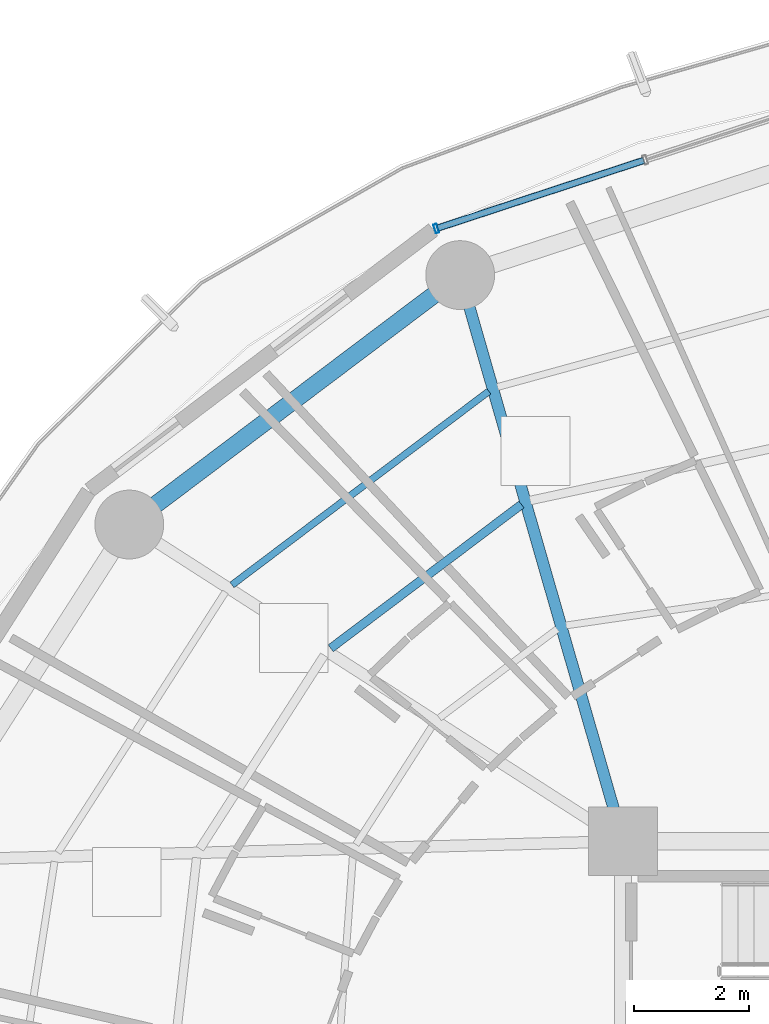
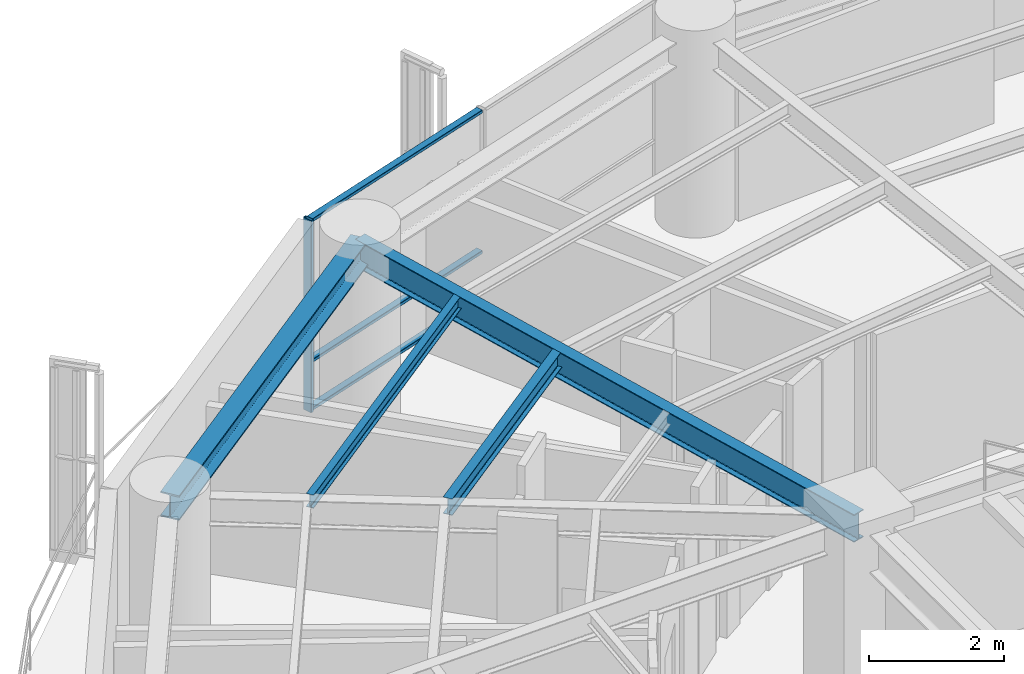
# One storey, part 16 of 27: 4 beams, 4 members, 1 element without a shape of its own.
"""IFC4 building model written with IfcOpenShell, lengths in metres."""

from ifc_helpers import new_model, si_unit, direction, frame, origin, origin_2d, place, context, subcontext, project, spatial, hollow_rectangle, i_section, extrude, material, layer, layer_set, material_profile, profile_set, type_object, element, aggregate, save


model = new_model("IFC4")

# Units and contexts
model_context = context("Model", 3, precision=1e-05, world=origin(), true_north=direction((0.0, 1.0)))
body_context = subcontext(model_context, "Body", "Model", "MODEL_VIEW")
ifc_project = project(units=[si_unit("LENGTHUNIT", "METRE"), si_unit("AREAUNIT", "SQUARE_METRE"), si_unit("VOLUMEUNIT", "CUBIC_METRE"), si_unit("PLANEANGLEUNIT", "RADIAN"), si_unit("MASSUNIT", "GRAM", prefix="KILO")], contexts=[model_context])

# Site, building, storey
site_placement = place(None, origin())
site = spatial("IfcSite", under=ifc_project, at=site_placement, CompositionType="ELEMENT")
building_placement = place(site_placement, origin())
building = spatial("IfcBuilding", under=site, at=building_placement, Name="Kelanora Arch Commons", CompositionType="ELEMENT")
storey_placement = place(building_placement, frame((0.0, 0.0, 143.10009765625)))
storey = spatial("IfcBuildingStorey", under=building, at=storey_placement, Name="L36", CompositionType="ELEMENT", Elevation=143.10009765625)

# Beams
ifc_material_1 = material(Name="Steel S355", Category="steel")
ifc_material_profile_1 = material_profile(ifc_material_1, i_section(OverallWidth=0.14990234375, OverallDepth=0.300048828125, WebThickness=0.007080078125, FlangeThickness=0.0107421875, FilletRadius=0.014892578125, at=origin_2d()), Name="IPE300")
ifc_profile_set_1 = profile_set([ifc_material_profile_1], Name="Steel S355")
beam_type_1 = type_object("IfcBeamType", Name="BM-JST-01", PredefinedType="JOIST", material=ifc_profile_set_1)
beam_1_placement = place(storey_placement, frame((64.22802734375, 70.870849609375, 3.33984375), z_axis=(-0.798463547891, -0.602043156833, 0.0), x_axis=(0.602043156833, -0.798463547891, 0.0)))
element("IfcBeam", 1, at=beam_1_placement, inside=storey, type_object=beam_type_1, Name="Secondary Chord Joist BJB-12 L36", PredefinedType="JOIST", context=body_context, shape_type="SweptSolid", body=[
    extrude(i_section(OverallWidth=0.14990234375, OverallDepth=0.300048828125, WebThickness=0.007080078125, FlangeThickness=0.0107421875, FilletRadius=0.014892578125, at=origin_2d()), origin(), (0.0, 0.0, 1.0), 4.163818359375),
])
ifc_material_profile_2 = material_profile(ifc_material_1, i_section(OverallWidth=0.1201171875, OverallDepth=0.239990234375, WebThickness=0.006103515625, FlangeThickness=0.009765625, FilletRadius=0.014892578125, at=origin_2d()), Name="IPE240")
ifc_profile_set_2 = profile_set([ifc_material_profile_2], Name="Steel S355")
beam_type_2 = type_object("IfcBeamType", Name="BM-JST-02", PredefinedType="JOIST", material=ifc_profile_set_2)
beam_2_placement = place(storey_placement, frame((63.66015625, 72.844970703125, 3.369873046875), z_axis=(-0.798493128577, -0.602003923256, 0.0), x_axis=(0.602003923256, -0.798493128577, 0.0)))
element("IfcBeam", 2, at=beam_2_placement, inside=storey, type_object=beam_type_2, Name="Secondary Chord Joist BJC-12 L36", PredefinedType="JOIST", context=body_context, shape_type="SweptSolid", body=[
    extrude(i_section(OverallWidth=0.1201171875, OverallDepth=0.239990234375, WebThickness=0.006103515625, FlangeThickness=0.009765625, FilletRadius=0.014892578125, at=origin_2d()), origin(), (0.0, 0.0, 1.0), 5.608642578125),
])
ifc_material_profile_3 = material_profile(ifc_material_1, i_section(OverallWidth=0.199951171875, OverallDepth=0.5, WebThickness=0.01025390625, FlangeThickness=0.01611328125, FilletRadius=0.02099609375, at=origin_2d()), Name="IPE500")
ifc_profile_set_3 = profile_set([ifc_material_profile_3], Name="Steel S355")
beam_type_3 = type_object("IfcBeamType", Name="BM-RAD-Z3", PredefinedType="BEAM", material=ifc_profile_set_3)
beam_3_placement = place(storey_placement, frame((66.0, 65.0, 3.239990234375), z_axis=(-0.276525880065, 0.961006471182, 0.0), x_axis=(-0.961006471182, -0.276525880065, 0.0)))
element("IfcBeam", 3, at=beam_3_placement, inside=storey, type_object=beam_type_3, Name="Radial Floor Girder BR-12 L36", PredefinedType="BEAM", context=body_context, shape_type="SweptSolid", body=[
    extrude(i_section(OverallWidth=0.199951171875, OverallDepth=0.5, WebThickness=0.01025390625, FlangeThickness=0.01611328125, FilletRadius=0.02099609375, at=origin_2d()), origin(), (0.0, 0.0, 1.0), 10.2705078125),
])
ifc_material_profile_4 = material_profile(ifc_material_1, i_section(OverallWidth=0.300048828125, OverallDepth=0.449951171875, WebThickness=0.013916015625, FlangeThickness=0.02587890625, FilletRadius=0.027099609375, at=origin_2d()), Name="HEB450")
ifc_profile_set_4 = profile_set([ifc_material_profile_4], Name="Steel S355")
beam_type_4 = type_object("IfcBeamType", Name="BM-SPN-Z3", PredefinedType="SPANDREL", material=ifc_profile_set_4)
beam_4_placement = place(storey_placement, frame((63.159912109375, 74.8701171875, 3.264892578125), z_axis=(-0.798484645564, -0.60201517489, 0.0), x_axis=(0.60201517489, -0.798484645564, 0.0)))
element("IfcBeam", 4, at=beam_4_placement, inside=storey, type_object=beam_type_4, Name="Perimeter Spandrel Beam BS-12 L36", PredefinedType="SPANDREL", context=body_context, shape_type="SweptSolid", body=[
    extrude(i_section(OverallWidth=0.300048828125, OverallDepth=0.449951171875, WebThickness=0.013916015625, FlangeThickness=0.02587890625, FilletRadius=0.027099609375, at=origin_2d()), origin(), (0.0, 0.0, 1.0), 7.223388671875),
])

# Curtain wall, members
ifc_material_2 = material(Name="Terracotta ceramic-fritted low-E glass and aluminium", Category="masonry")
ifc_layer = layer(ifc_material_2, 0.175048828125)
ifc_layer_set = layer_set([ifc_layer], Name="Terracotta ceramic-fritted low-E glass and aluminium")
curtain_wall_type = type_object("IfcCurtainWallType", Name="CW-SYS-02", PredefinedType="NOTDEFINED", material=ifc_layer_set)
curtain_wall_placement = place(storey_placement, origin())
curtain_wall = element("IfcCurtainWall", 5, at=curtain_wall_placement, inside=storey, type_object=curtain_wall_type, Name="Unitised Curtain Wall L36-B05", PredefinedType="NOTDEFINED")
ifc_material_3 = material(Name="Powder-coated aluminium terracotta", Category="masonry")
ifc_material_profile_5 = material_profile(ifc_material_3, hollow_rectangle(XDim=0.159912109375, YDim=0.06005859375, WallThickness=0.0048828125, InnerFilletRadius=0.0048828125, OuterFilletRadius=0.010009765625, at=origin_2d()), Name="CWM160x60")
ifc_profile_set_5 = profile_set([ifc_material_profile_5], Name="Powder-coated aluminium terracotta")
member_type_1 = type_object("IfcMemberType", Name="CWM-STD", PredefinedType="MULLION", material=ifc_profile_set_5)
member_1_placement = place(storey_placement, frame((62.742919921875, 75.680908203125, 0.0), z_axis=(0.0, 0.0, 1.0), x_axis=(0.312128279571, -0.95003996605, 0.0)))
member_1 = element("IfcMember", 6, at=member_1_placement, type_object=member_type_1, Name="CW-02 mullion 3", PredefinedType="MULLION", context=body_context, shape_type="SweptSolid", body=[
    extrude(hollow_rectangle(XDim=0.159912109375, YDim=0.06005859375, WallThickness=0.0048828125, InnerFilletRadius=0.0048828125, OuterFilletRadius=0.010009765625, at=origin_2d()), origin(), (0.0, 0.0, 1.0), 3.474853515625),
])
ifc_material_profile_6 = material_profile(ifc_material_3, hollow_rectangle(XDim=0.1201171875, YDim=0.06005859375, WallThickness=0.0048828125, InnerFilletRadius=0.0048828125, OuterFilletRadius=0.010009765625, at=origin_2d()), Name="CWT120x60")
ifc_profile_set_6 = profile_set([ifc_material_profile_6], Name="Powder-coated aluminium terracotta")
member_type_2 = type_object("IfcMemberType", Name="CWT-STD", PredefinedType="USERDEFINED", material=ifc_profile_set_6)
member_2_placement = place(storey_placement, frame((66.359375, 76.869140625, 0.02978515625), z_axis=(-0.950051191155, -0.312094111104, 0.0), x_axis=(0.312094111104, -0.950051191155, 0.0)))
member_2 = element("IfcMember", 7, at=member_2_placement, type_object=member_type_2, Name="CW-02 transom 2.1", ObjectType="TRANSOM", PredefinedType="USERDEFINED", context=body_context, shape_type="SweptSolid", body=[
    extrude(hollow_rectangle(XDim=0.1201171875, YDim=0.06005859375, WallThickness=0.0048828125, InnerFilletRadius=0.0048828125, OuterFilletRadius=0.010009765625, at=origin_2d()), origin(), (0.0, 0.0, 1.0), 3.77685546875),
])
member_3_placement = place(storey_placement, frame((66.359375, 76.869140625, 0.89990234375), z_axis=(-0.950051191155, -0.312094111104, 0.0), x_axis=(0.312094111104, -0.950051191155, 0.0)))
member_3 = element("IfcMember", 8, at=member_3_placement, type_object=member_type_2, Name="CW-02 transom 2.2", ObjectType="TRANSOM", PredefinedType="USERDEFINED", context=body_context, shape_type="SweptSolid", body=[
    extrude(hollow_rectangle(XDim=0.1201171875, YDim=0.06005859375, WallThickness=0.0048828125, InnerFilletRadius=0.0048828125, OuterFilletRadius=0.010009765625, at=origin_2d()), origin(), (0.0, 0.0, 1.0), 3.77685546875),
])
member_4_placement = place(storey_placement, frame((66.359375, 76.869140625, 3.44482421875), z_axis=(-0.950051191155, -0.312094111104, 0.0), x_axis=(0.312094111104, -0.950051191155, 0.0)))
member_4 = element("IfcMember", 9, at=member_4_placement, type_object=member_type_2, Name="CW-02 transom 2.3", ObjectType="TRANSOM", PredefinedType="USERDEFINED", context=body_context, shape_type="SweptSolid", body=[
    extrude(hollow_rectangle(XDim=0.1201171875, YDim=0.06005859375, WallThickness=0.0048828125, InnerFilletRadius=0.0048828125, OuterFilletRadius=0.010009765625, at=origin_2d()), origin(), (0.0, 0.0, 1.0), 3.77685546875),
])
aggregate(curtain_wall, [member_1, member_2, member_3, member_4])

save(model, "model.ifc")
